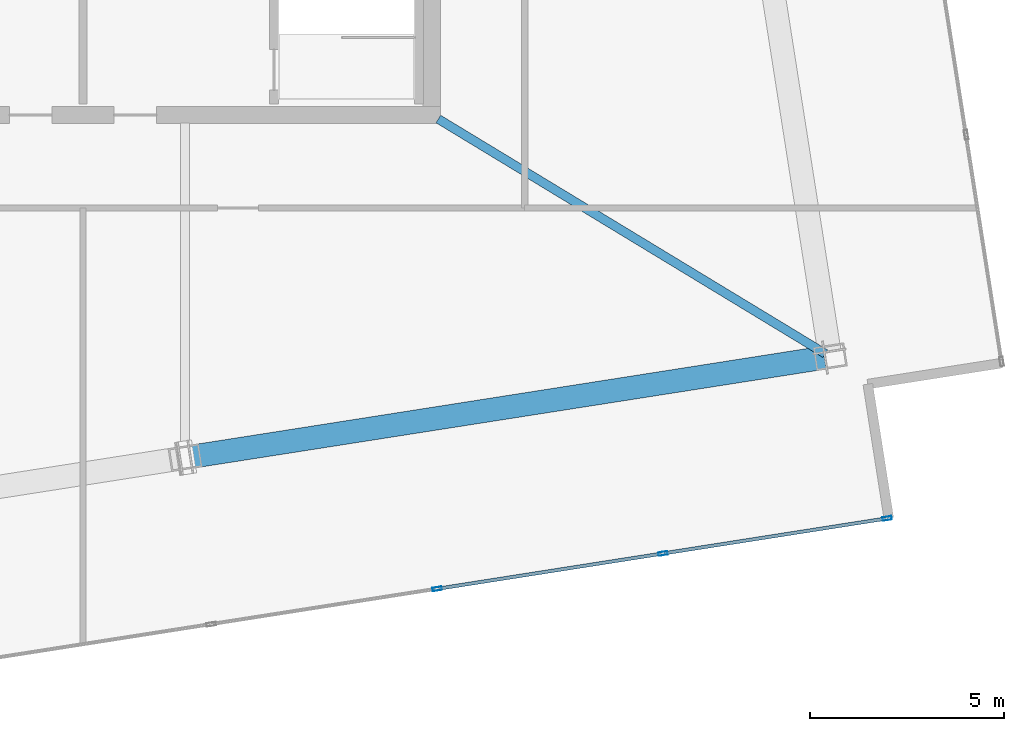
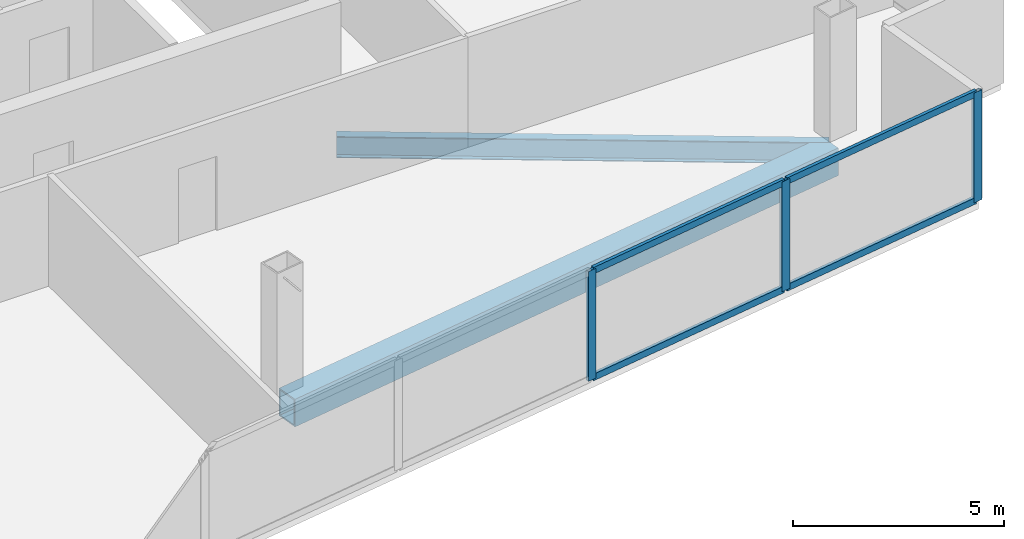
# One storey, part 6 of 17: 7 members, 2 beams, 1 element without a shape of its own.
"""IFC4 building model written with IfcOpenShell, lengths in metres."""

from ifc_helpers import new_model, si_unit, direction, frame, origin, origin_2d, place, context, subcontext, project, spatial, hollow_rectangle, i_section, extrude, material, material_profile, profile_set, type_object, element, aggregate, save


model = new_model("IFC4")

# Units and contexts
model_context = context("Model", 3, precision=1e-05, world=origin(), true_north=direction((0.0, 1.0)))
body_context = subcontext(model_context, "Body", "Model", "MODEL_VIEW")
ifc_project = project(units=[si_unit("LENGTHUNIT", "METRE"), si_unit("AREAUNIT", "SQUARE_METRE"), si_unit("VOLUMEUNIT", "CUBIC_METRE"), si_unit("PLANEANGLEUNIT", "RADIAN"), si_unit("MASSUNIT", "GRAM", prefix="KILO")], contexts=[model_context])

# Site, building, storey
site_placement = place(None, origin())
site = spatial("IfcSite", under=ifc_project, at=site_placement, CompositionType="ELEMENT")
building_placement = place(site_placement, origin())
building = spatial("IfcBuilding", under=site, at=building_placement, Name="Haldenkirk Collegiate Tower", CompositionType="ELEMENT")
storey_placement = place(building_placement, frame((0.0, 0.0, 371.39990234375)))
storey = spatial("IfcBuildingStorey", under=building, at=storey_placement, Name="L94", CompositionType="ELEMENT", Elevation=371.39990234375)

# Beams
ifc_material_1 = material(Name="Steel ASTM A992 Grade 50", Category="steel")
ifc_material_profile_1 = material_profile(ifc_material_1, i_section(OverallWidth=0.22998046875, OverallDepth=0.616943359375, WebThickness=0.01318359375, FlangeThickness=0.022216796875, at=origin_2d()), Name="W24X94")
ifc_profile_set_1 = profile_set([ifc_material_profile_1], Name="Steel ASTM A992 Grade 50")
beam_type_1 = type_object("IfcBeamType", Name="BM-GIRDER-W24X94", PredefinedType="BEAM", material=ifc_profile_set_1)
beam_1_placement = place(storey_placement, frame((55.156494140625, 11.840087890625, -0.578369140625), z_axis=(-0.855035491558, 0.518569482496, 0.0), x_axis=(-0.518569482496, -0.855035491558, 0.0)))
element("IfcBeam", 1, at=beam_1_placement, inside=storey, type_object=beam_type_1, Name="L94 crown radial floor beam 1", PredefinedType="BEAM", context=body_context, shape_type="SweptSolid", body=[
    extrude(i_section(OverallWidth=0.22998046875, OverallDepth=0.616943359375, WebThickness=0.01318359375, FlangeThickness=0.022216796875, at=origin_2d()), origin(), (0.0, 0.0, 1.0), 11.678466796875),
])
ifc_material_2 = material(Name="Steel ASTM A572 Grade 50", Category="steel")
ifc_material_profile_2 = material_profile(ifc_material_2, hollow_rectangle(XDim=0.60009765625, YDim=0.800048828125, WallThickness=0.0400390625, at=origin_2d()), Name="BOX800X600X40")
ifc_profile_set_2 = profile_set([ifc_material_profile_2], Name="Steel ASTM A572 Grade 50")
beam_type_2 = type_object("IfcBeamType", Name="BM-SPANDREL-BOX800X600X40", PredefinedType="SPANDREL", material=ifc_profile_set_2)
beam_2_placement = place(storey_placement, frame((38.785888671875, 9.178466796875, -0.669921875), z_axis=(0.987959171117, 0.154714822192, 0.0), x_axis=(-0.154714822192, 0.987959171117, 0.0)))
element("IfcBeam", 2, at=beam_2_placement, inside=storey, type_object=beam_type_2, Name="L94 Crown Ring Frame perimeter girder 8", PredefinedType="SPANDREL", context=body_context, shape_type="SweptSolid", body=[
    extrude(hollow_rectangle(XDim=0.60009765625, YDim=0.800048828125, WallThickness=0.0400390625, at=origin_2d()), origin(), (0.0, 0.0, 1.0), 16.550048828125),
])

# Curtain wall, members
ifc_material_3 = material(Name="Anodised architectural bronze aluminium", Category="aluminium")
curtain_wall_type = type_object("IfcCurtainWallType", Name="CW-SYS6-CROWN", PredefinedType="USERDEFINED", material=ifc_material_3)
curtain_wall_placement = place(storey_placement, origin())
curtain_wall = element("IfcCurtainWall", 3, at=curtain_wall_placement, inside=storey, type_object=curtain_wall_type, Name="L94 Closed crown ring ceramic-fritted bronze screen curtain wall", ObjectType="UNITISED CURTAIN WALL", PredefinedType="USERDEFINED")
ifc_material_profile_3 = material_profile(ifc_material_3, hollow_rectangle(XDim=0.090087890625, YDim=0.239990234375, WallThickness=0.0048828125, at=origin_2d()), Name="CW-MUL-06")
ifc_profile_set_3 = profile_set([ifc_material_profile_3], Name="Anodised architectural bronze aluminium")
member_type_1 = type_object("IfcMemberType", Name="CW-MUL-06", PredefinedType="MULLION", material=ifc_profile_set_3)
member_1_placement = place(storey_placement, frame((56.753173828125, 7.589111328125, 0.0), z_axis=(0.0, 0.0, 1.0), x_axis=(0.154708982189, -0.987960085646, 0.0)))
member_1 = element("IfcMember", 4, at=member_1_placement, type_object=member_type_1, Name="CW-06 mullion 1", PredefinedType="MULLION", context=body_context, shape_type="SweptSolid", body=[
    extrude(hollow_rectangle(XDim=0.090087890625, YDim=0.239990234375, WallThickness=0.0048828125, at=origin_2d()), origin(), (0.0, 0.0, 1.0), 3.18017578125),
])
member_2_placement = place(storey_placement, frame((50.96875, 6.68310546875, 0.0), z_axis=(0.0, 0.0, 1.0), x_axis=(0.154708982189, -0.987960085646, 0.0)))
member_2 = element("IfcMember", 5, at=member_2_placement, type_object=member_type_1, Name="CW-06 mullion 2", PredefinedType="MULLION", context=body_context, shape_type="SweptSolid", body=[
    extrude(hollow_rectangle(XDim=0.090087890625, YDim=0.239990234375, WallThickness=0.0048828125, at=origin_2d()), origin(), (0.0, 0.0, 1.0), 3.18017578125),
])
member_3_placement = place(storey_placement, frame((45.1396484375, 5.7705078125, 0.0), z_axis=(0.0, 0.0, 1.0), x_axis=(0.154708982189, -0.987960085646, 0.0)))
member_3 = element("IfcMember", 6, at=member_3_placement, type_object=member_type_1, Name="CW-06 mullion 3", PredefinedType="MULLION", context=body_context, shape_type="SweptSolid", body=[
    extrude(hollow_rectangle(XDim=0.090087890625, YDim=0.239990234375, WallThickness=0.0048828125, at=origin_2d()), origin(), (0.0, 0.0, 1.0), 3.18017578125),
])
ifc_material_profile_4 = material_profile(ifc_material_3, hollow_rectangle(XDim=0.090087890625, YDim=0.18994140625, WallThickness=0.0048828125, at=origin_2d()), Name="CW-TRN-06")
ifc_profile_set_4 = profile_set([ifc_material_profile_4], Name="Anodised architectural bronze aluminium")
member_type_2 = type_object("IfcMemberType", Name="CW-TRN-06", PredefinedType="USERDEFINED", material=ifc_profile_set_4)
member_4_placement = place(storey_placement, frame((56.708740234375, 7.58203125, 0.045166015625), z_axis=(-0.987961315074, -0.154701130951, 0.0), x_axis=(0.154701130951, -0.987961315074, 0.0)))
member_4 = element("IfcMember", 7, at=member_4_placement, type_object=member_type_2, Name="CW-06 transom 1.1", ObjectType="TRANSOM", PredefinedType="USERDEFINED", context=body_context, shape_type="SweptSolid", body=[
    extrude(hollow_rectangle(XDim=0.090087890625, YDim=0.18994140625, WallThickness=0.0048828125, at=origin_2d()), origin(), (0.0, 0.0, 1.0), 5.764892578125),
])
member_5_placement = place(storey_placement, frame((56.708740234375, 7.58203125, 3.135009765625), z_axis=(-0.987961315074, -0.154701130951, 0.0), x_axis=(0.154701130951, -0.987961315074, 0.0)))
member_5 = element("IfcMember", 8, at=member_5_placement, type_object=member_type_2, Name="CW-06 transom 1.2", ObjectType="TRANSOM", PredefinedType="USERDEFINED", context=body_context, shape_type="SweptSolid", body=[
    extrude(hollow_rectangle(XDim=0.090087890625, YDim=0.18994140625, WallThickness=0.0048828125, at=origin_2d()), origin(), (0.0, 0.0, 1.0), 5.764892578125),
])
member_6_placement = place(storey_placement, frame((50.92431640625, 6.67626953125, 0.045166015625), z_axis=(-0.987958095237, -0.154721692257, 0.0), x_axis=(0.154721692257, -0.987958095237, 0.0)))
member_6 = element("IfcMember", 9, at=member_6_placement, type_object=member_type_2, Name="CW-06 transom 2.1", ObjectType="TRANSOM", PredefinedType="USERDEFINED", context=body_context, shape_type="SweptSolid", body=[
    extrude(hollow_rectangle(XDim=0.090087890625, YDim=0.18994140625, WallThickness=0.0048828125, at=origin_2d()), origin(), (0.0, 0.0, 1.0), 5.81005859375),
])
member_7_placement = place(storey_placement, frame((50.92431640625, 6.67626953125, 3.135009765625), z_axis=(-0.987958095237, -0.154721692257, 0.0), x_axis=(0.154721692257, -0.987958095237, 0.0)))
member_7 = element("IfcMember", 10, at=member_7_placement, type_object=member_type_2, Name="CW-06 transom 2.2", ObjectType="TRANSOM", PredefinedType="USERDEFINED", context=body_context, shape_type="SweptSolid", body=[
    extrude(hollow_rectangle(XDim=0.090087890625, YDim=0.18994140625, WallThickness=0.0048828125, at=origin_2d()), origin(), (0.0, 0.0, 1.0), 5.81005859375),
])
aggregate(curtain_wall, [member_1, member_2, member_3, member_4, member_5, member_6, member_7])

save(model, "model.ifc")
